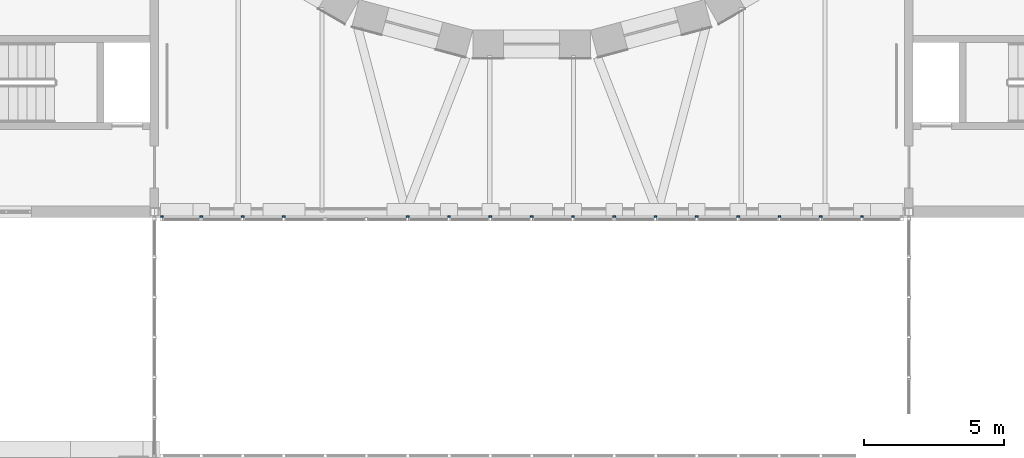
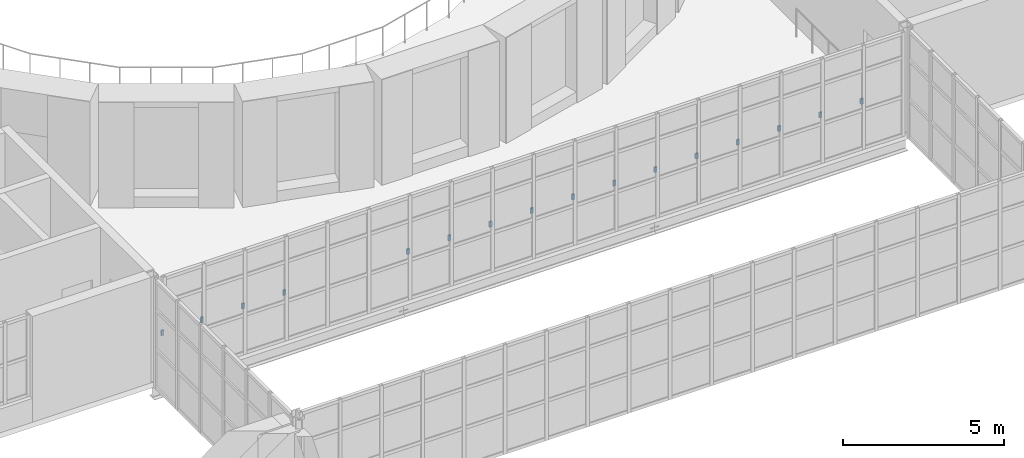
# One storey, part 127 of 154: 16 discrete accessories.
"""IFC4 building model written with IfcOpenShell, lengths in metres."""

from ifc_helpers import new_model, si_unit, direction, frame, origin, origin_2d, place, context, subcontext, project, spatial, rectangle, extrude, material, type_object, element, save


model = new_model("IFC4")

# Units and contexts
model_context = context("Model", 3, precision=1e-05, world=origin(), true_north=direction((0.0, 1.0)))
body_context = subcontext(model_context, "Body", "Model", "MODEL_VIEW")
ifc_project = project(units=[si_unit("LENGTHUNIT", "METRE"), si_unit("AREAUNIT", "SQUARE_METRE"), si_unit("VOLUMEUNIT", "CUBIC_METRE"), si_unit("PLANEANGLEUNIT", "RADIAN"), si_unit("MASSUNIT", "GRAM", prefix="KILO")], contexts=[model_context])

# Site, building, storey
site_placement = place(None, origin())
site = spatial("IfcSite", under=ifc_project, at=site_placement, CompositionType="ELEMENT")
building_placement = place(site_placement, origin())
building = spatial("IfcBuilding", under=site, at=building_placement, Name="Golden Quay Civic Hall", CompositionType="ELEMENT")
storey_placement = place(building_placement, frame((0.0, 0.0, 14.39990234375)))
storey = spatial("IfcBuildingStorey", under=building, at=storey_placement, Name="L03", CompositionType="ELEMENT", Elevation=14.39990234375)

# Discrete accessories
ifc_material = material(Name="Steel S355", Category="steel")
discrete_accessory_type = type_object("IfcDiscreteAccessoryType", Name="Hall screen bracket 100 x 200", PredefinedType="BRACKET", material=ifc_material)
discrete_accessory_placement = place(storey_placement, frame((72.264892578125, 62.820068359375, 1.64990234375), z_axis=(0.0, 0.0, 1.0), x_axis=(1.0, 0.0, 0.0)))
element("IfcDiscreteAccessory", 1, at=discrete_accessory_placement, inside=storey, type_object=discrete_accessory_type, Name="Hall screen bracket 0", PredefinedType="BRACKET", context=body_context, shape_type="SweptSolid", body=[
    extrude(rectangle(XDim=0.090087890625, YDim=0.06005859375, at=origin_2d()), origin(), (0.0, 0.0, 1.0), 0.199951171875),
])
for number, where, z_axis, x_axis, name in (
    (2, (76.633056640625, 62.820068359375, 1.64990234375), (0.0, 0.0, 1.0), (1.0, 0.0, 0.0), "Hall screen bracket 3"),
    (3, (81.06689453125, 62.820068359375, 1.64990234375), (0.0, 0.0, 1.0), (1.0, 0.0, 0.0), "Hall screen bracket 6"),
    (4, (85.5, 62.820068359375, 1.64990234375), (0.0, 0.0, 1.0), (1.0, 0.0, 0.0), "Hall screen bracket 9"),
    (5, (89.93310546875, 62.820068359375, 1.64990234375), (0.0, 0.0, 1.0), (1.0, 0.0, 0.0), "Hall screen bracket 12"),
    (6, (94.366943359375, 62.820068359375, 1.64990234375), (0.0, 0.0, 1.0), (1.0, 0.0, 0.0), "Hall screen bracket 15"),
    (7, (73.677978515625, 62.820068359375, 1.64990234375), (0.0, 0.0, 1.0), (1.0, 0.0, 0.0), "Hall screen bracket 1"),
    (8, (75.156005859375, 62.820068359375, 1.64990234375), (0.0, 0.0, 1.0), (1.0, 0.0, 0.0), "Hall screen bracket 2"),
    (9, (82.5439453125, 62.820068359375, 1.64990234375), (0.0, 0.0, 1.0), (1.0, 0.0, 0.0), "Hall screen bracket 7"),
    (10, (84.02197265625, 62.820068359375, 1.64990234375), (0.0, 0.0, 1.0), (1.0, 0.0, 0.0), "Hall screen bracket 8"),
    (11, (86.97802734375, 62.820068359375, 1.64990234375), (0.0, 0.0, 1.0), (1.0, 0.0, 0.0), "Hall screen bracket 10"),
    (12, (88.4560546875, 62.820068359375, 1.64990234375), (0.0, 0.0, 1.0), (1.0, 0.0, 0.0), "Hall screen bracket 11"),
    (13, (91.410888671875, 62.820068359375, 1.64990234375), (0.0, 0.0, 1.0), (1.0, 0.0, 0.0), "Hall screen bracket 13"),
    (14, (92.888916015625, 62.820068359375, 1.64990234375), (0.0, 0.0, 1.0), (1.0, 0.0, 0.0), "Hall screen bracket 14"),
    (15, (95.843994140625, 62.820068359375, 1.64990234375), (0.0, 0.0, 1.0), (1.0, 0.0, 0.0), "Hall screen bracket 16"),
    (16, (97.322021484375, 62.820068359375, 1.64990234375), (0.0, 0.0, 1.0), (1.0, 0.0, 0.0), "Hall screen bracket 17"),
):
    element("IfcDiscreteAccessory", number, at=place(storey_placement, frame(where, z_axis=z_axis, x_axis=x_axis)), inside=storey, type_object=discrete_accessory_type, Name=name, PredefinedType="BRACKET", context=body_context, shape_type="SweptSolid", body=[
        extrude(rectangle(XDim=0.10009765625, YDim=0.06005859375, at=origin_2d()), origin(), (0.0, 0.0, 1.0), 0.199951171875),
    ])

save(model, "model.ifc")
